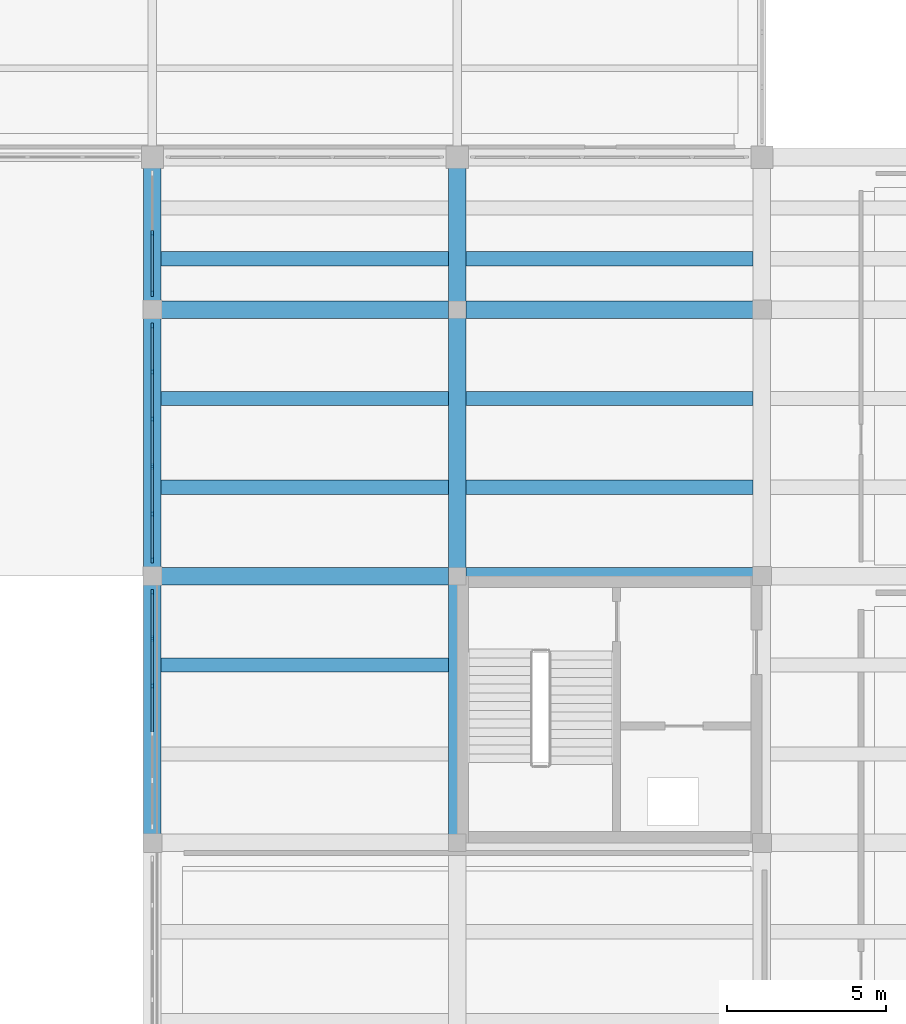
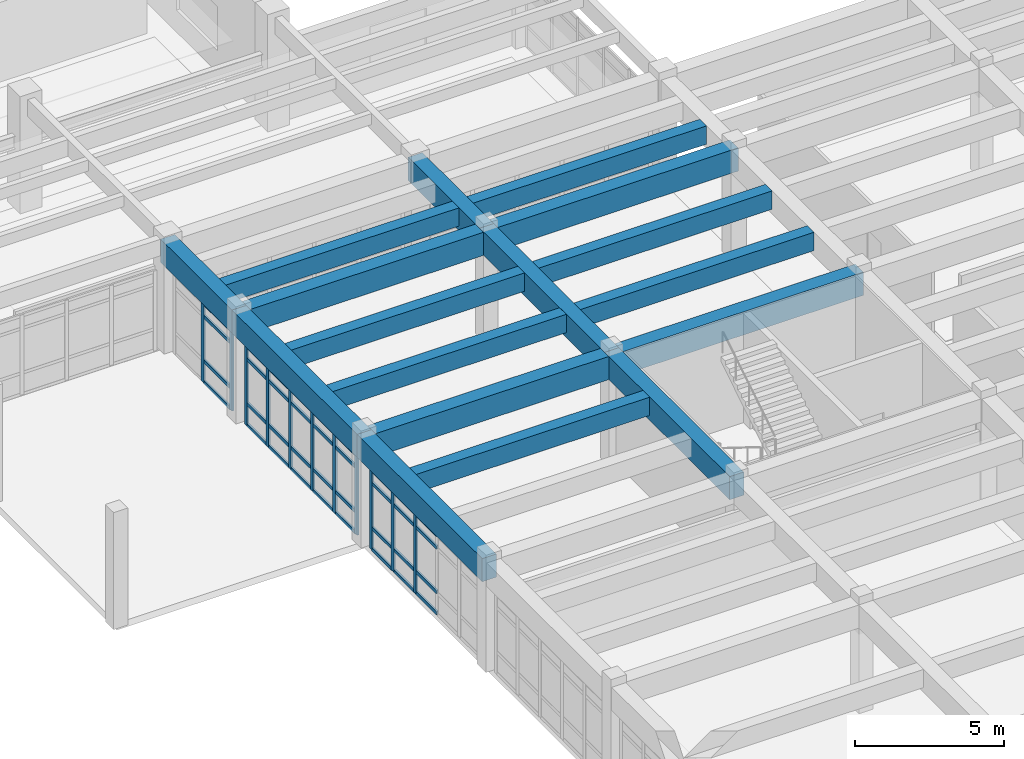
# One storey, part 39 of 86: 47 members, 17 beams, 3 elements without a shape of their own.
"""IFC4 building model written with IfcOpenShell, lengths in metres."""

from ifc_helpers import new_model, si_unit, direction, frame, origin, origin_2d, place, context, subcontext, project, spatial, rectangle, extrude, material, layer, layer_set, material_profile, profile_set, type_object, element, aggregate, save


model = new_model("IFC4")

# Units and contexts
model_context = context("Model", 3, precision=1e-05, world=origin(), true_north=direction((0.0, 1.0)))
body_context = subcontext(model_context, "Body", "Model", "MODEL_VIEW")
ifc_project = project(units=[si_unit("LENGTHUNIT", "METRE"), si_unit("AREAUNIT", "SQUARE_METRE"), si_unit("VOLUMEUNIT", "CUBIC_METRE"), si_unit("PLANEANGLEUNIT", "RADIAN"), si_unit("MASSUNIT", "GRAM", prefix="KILO")], contexts=[model_context])

# Site, building, storey
site_placement = place(None, origin())
site = spatial("IfcSite", under=ifc_project, at=site_placement, CompositionType="ELEMENT")
building_placement = place(site_placement, origin())
building = spatial("IfcBuilding", under=site, at=building_placement, Name="Kolvemor Railside Polytechnic", CompositionType="ELEMENT")
storey_placement = place(building_placement, frame((0.0, 0.0, 5.39990234375)))
storey = spatial("IfcBuildingStorey", under=building, at=storey_placement, Name="L01", CompositionType="ELEMENT", Elevation=5.39990234375)

# Beams
ifc_material_1 = material(Name="Concrete C40/50", Category="concrete")
ifc_material_profile_1 = material_profile(ifc_material_1, rectangle(XDim=0.550048828125, YDim=0.949951171875, at=origin_2d()), Name="RC550x950")
ifc_profile_set_1 = profile_set([ifc_material_profile_1], Name="Concrete C40/50")
beam_type_1 = type_object("IfcBeamType", Name="BM-RC-GIRD", PredefinedType="BEAM", material=ifc_profile_set_1)
beam_1_placement = place(storey_placement, frame((144.0, 68.39990234375, 4.005126953125), z_axis=(1.0, 0.0, 0.0), x_axis=(0.0, 1.0, 0.0)))
element("IfcBeam", 1, at=beam_1_placement, inside=storey, type_object=beam_type_1, Name="Primary Girder L02-GX 0923", PredefinedType="BEAM", context=body_context, shape_type="SweptSolid", body=[
    extrude(rectangle(XDim=0.550048828125, YDim=0.949951171875, at=origin_2d()), origin(), (0.0, 0.0, 1.0), 9.60009765625),
])
beam_2_placement = place(storey_placement, frame((153.60009765625, 68.39990234375, 4.005126953125), z_axis=(1.0, 0.0, 0.0), x_axis=(0.0, 1.0, 0.0)))
element("IfcBeam", 2, at=beam_2_placement, inside=storey, type_object=beam_type_1, Name="Primary Girder L02-GX 0924", PredefinedType="BEAM", context=body_context, shape_type="SweptSolid", body=[
    extrude(rectangle(XDim=0.550048828125, YDim=0.949951171875, at=origin_2d()), origin(), (0.0, 0.0, 1.0), 9.599853515625),
])
beam_3_placement = place(storey_placement, frame((144.0, 76.800048828125, 4.005126953125), z_axis=(1.0, 0.0, 0.0), x_axis=(0.0, 1.0, 0.0)))
element("IfcBeam", 3, at=beam_3_placement, inside=storey, type_object=beam_type_1, Name="Primary Girder L02-GX 0927", PredefinedType="BEAM", context=body_context, shape_type="SweptSolid", body=[
    extrude(rectangle(XDim=0.550048828125, YDim=0.949951171875, at=origin_2d()), origin(), (0.0, 0.0, 1.0), 9.60009765625),
])
beam_4_placement = place(storey_placement, frame((153.60009765625, 76.800048828125, 4.005126953125), z_axis=(1.0, 0.0, 0.0), x_axis=(0.0, 1.0, 0.0)))
element("IfcBeam", 4, at=beam_4_placement, inside=storey, type_object=beam_type_1, Name="Primary Girder L02-GX 0928", PredefinedType="BEAM", context=body_context, shape_type="SweptSolid", body=[
    extrude(rectangle(XDim=0.550048828125, YDim=0.949951171875, at=origin_2d()), origin(), (0.0, 0.0, 1.0), 9.599853515625),
])
beam_5_placement = place(storey_placement, frame((144.0, 60.0, 4.005126953125), z_axis=(0.0, 1.0, 0.0), x_axis=(-1.0, 0.0, 0.0)))
element("IfcBeam", 5, at=beam_5_placement, inside=storey, type_object=beam_type_1, Name="Primary Girder L02-GY 0941", PredefinedType="BEAM", context=body_context, shape_type="SweptSolid", body=[
    extrude(rectangle(XDim=0.550048828125, YDim=0.949951171875, at=origin_2d()), origin(), (0.0, 0.0, 1.0), 8.39990234375),
])
beam_6_placement = place(storey_placement, frame((144.0, 68.39990234375, 4.005126953125), z_axis=(0.0, 1.0, 0.0), x_axis=(-1.0, 0.0, 0.0)))
element("IfcBeam", 6, at=beam_6_placement, inside=storey, type_object=beam_type_1, Name="Primary Girder L02-GY 0942", PredefinedType="BEAM", context=body_context, shape_type="SweptSolid", body=[
    extrude(rectangle(XDim=0.550048828125, YDim=0.949951171875, at=origin_2d()), origin(), (0.0, 0.0, 1.0), 8.400146484375),
])
beam_7_placement = place(storey_placement, frame((144.0, 76.800048828125, 4.005126953125), z_axis=(0.0, 1.0, 0.0), x_axis=(-1.0, 0.0, 0.0)))
element("IfcBeam", 7, at=beam_7_placement, inside=storey, type_object=beam_type_1, Name="Primary Girder L02-GY 0943", PredefinedType="BEAM", context=body_context, shape_type="SweptSolid", body=[
    extrude(rectangle(XDim=0.550048828125, YDim=0.949951171875, at=origin_2d()), origin(), (0.0, 0.0, 1.0), 4.800048828125),
])
beam_8_placement = place(storey_placement, frame((153.60009765625, 60.0, 4.005126953125), z_axis=(0.0, 1.0, 0.0), x_axis=(-1.0, 0.0, 0.0)))
element("IfcBeam", 8, at=beam_8_placement, inside=storey, type_object=beam_type_1, Name="Primary Girder L02-GY 0950", PredefinedType="BEAM", context=body_context, shape_type="SweptSolid", body=[
    extrude(rectangle(XDim=0.550048828125, YDim=0.949951171875, at=origin_2d()), origin(), (0.0, 0.0, 1.0), 8.39990234375),
])
beam_9_placement = place(storey_placement, frame((153.60009765625, 68.39990234375, 4.005126953125), z_axis=(0.0, 1.0, 0.0), x_axis=(-1.0, 0.0, 0.0)))
element("IfcBeam", 9, at=beam_9_placement, inside=storey, type_object=beam_type_1, Name="Primary Girder L02-GY 0951", PredefinedType="BEAM", context=body_context, shape_type="SweptSolid", body=[
    extrude(rectangle(XDim=0.550048828125, YDim=0.949951171875, at=origin_2d()), origin(), (0.0, 0.0, 1.0), 8.400146484375),
])
beam_10_placement = place(storey_placement, frame((153.60009765625, 76.800048828125, 4.005126953125), z_axis=(0.0, 1.0, 0.0), x_axis=(-1.0, 0.0, 0.0)))
element("IfcBeam", 10, at=beam_10_placement, inside=storey, type_object=beam_type_1, Name="Primary Girder L02-GY 0952", PredefinedType="BEAM", context=body_context, shape_type="SweptSolid", body=[
    extrude(rectangle(XDim=0.550048828125, YDim=0.949951171875, at=origin_2d()), origin(), (0.0, 0.0, 1.0), 4.800048828125),
])
ifc_material_2 = material(Name="Concrete C40/50", Category="concrete")
ifc_material_profile_2 = material_profile(ifc_material_2, rectangle(XDim=0.449951171875, YDim=0.75, at=origin_2d()), Name="RC450x750")
ifc_profile_set_2 = profile_set([ifc_material_profile_2], Name="Concrete C40/50")
beam_type_2 = type_object("IfcBeamType", Name="BM-RC-SEC", PredefinedType="JOIST", material=ifc_profile_set_2)
for number, where, z_axis, x_axis, name in (
    (11, (144.27490234375, 65.60009765625, 4.10498046875), (1.0, 0.0, 0.0), (0.0, 1.0, 0.0), "Floor Joist L02-J0993"),
    (12, (144.27490234375, 71.199951171875, 4.10498046875), (1.0, 0.0, 0.0), (0.0, 1.0, 0.0), "Floor Joist L02-J0994"),
    (13, (144.27490234375, 74.0, 4.10498046875), (1.0, 0.0, 0.0), (0.0, 1.0, 0.0), "Floor Joist L02-J0995"),
    (14, (144.27490234375, 78.39990234375, 4.10498046875), (1.0, 0.0, 0.0), (0.0, 1.0, 0.0), "Floor Joist L02-J0996"),
    (15, (153.875, 71.199951171875, 4.10498046875), (1.0, 0.0, 0.0), (0.0, 1.0, 0.0), "Floor Joist L02-J1008"),
    (16, (153.875, 74.0, 4.10498046875), (1.0, 0.0, 0.0), (0.0, 1.0, 0.0), "Floor Joist L02-J1009"),
    (17, (153.875, 78.39990234375, 4.10498046875), (1.0, 0.0, 0.0), (0.0, 1.0, 0.0), "Floor Joist L02-J1010"),
):
    element("IfcBeam", number, at=place(storey_placement, frame(where, z_axis=z_axis, x_axis=x_axis)), inside=storey, type_object=beam_type_2, Name=name, PredefinedType="JOIST", context=body_context, shape_type="SweptSolid", body=[
        extrude(rectangle(XDim=0.449951171875, YDim=0.75, at=origin_2d()), origin(), (0.0, 0.0, 1.0), 9.050048828125),
    ])

# Curtain wall, members
ifc_material_3 = material(Name="Anodised marine aluminium and laminated low-E glass", Category="aluminium")
ifc_layer = layer(ifc_material_3, 0.179931640625, Name="CW-UNIT-STD")
ifc_layer_set = layer_set([ifc_layer], Name="Anodised marine aluminium and laminated low-E glass")
curtain_wall_type = type_object("IfcCurtainWallType", Name="CW-UNIT-STD", PredefinedType="USERDEFINED", material=ifc_layer_set)
curtain_wall_1_placement = place(storey_placement, origin())
curtain_wall_1 = element("IfcCurtainWall", 18, at=curtain_wall_1_placement, inside=storey, type_object=curtain_wall_type, Name="Curtain Wall L01-080", ObjectType="UNITISED CURTAIN WALL", PredefinedType="USERDEFINED")
ifc_material_4 = material(Name="Anodised marine aluminium 6063-T6", Category="aluminium")
ifc_material_profile_3 = material_profile(ifc_material_4, rectangle(XDim=0.074951171875, YDim=0.179931640625, at=origin_2d()), Name="CW-MUL-75x180")
ifc_profile_set_3 = profile_set([ifc_material_profile_3], Name="Anodised marine aluminium 6063-T6")
member_type_1 = type_object("IfcMemberType", Name="CWM-75x180", PredefinedType="MULLION", material=ifc_profile_set_3)
member_1_placement = place(storey_placement, frame((144.0, 67.892578125, 0.0), z_axis=(0.0, 0.0, 1.0), x_axis=(1.0, 0.0, 0.0)))
member_1 = element("IfcMember", 19, at=member_1_placement, type_object=member_type_1, Name="CW-STD mullion 1", PredefinedType="MULLION", context=body_context, shape_type="SweptSolid", body=[
    extrude(rectangle(XDim=0.074951171875, YDim=0.179931640625, at=origin_2d()), origin(), (0.0, 0.0, 1.0), 3.280029296875),
])
member_2_placement = place(storey_placement, frame((144.0, 66.43798828125, 0.0), z_axis=(0.0, 0.0, 1.0), x_axis=(1.0, 0.0, 0.0)))
member_2 = element("IfcMember", 20, at=member_2_placement, type_object=member_type_1, Name="CW-STD mullion 2", PredefinedType="MULLION", context=body_context, shape_type="SweptSolid", body=[
    extrude(rectangle(XDim=0.074951171875, YDim=0.179931640625, at=origin_2d()), origin(), (0.0, 0.0, 1.0), 3.280029296875),
])
member_3_placement = place(storey_placement, frame((144.0, 64.946044921875, 0.0), z_axis=(0.0, 0.0, 1.0), x_axis=(1.0, 0.0, 0.0)))
member_3 = element("IfcMember", 21, at=member_3_placement, type_object=member_type_1, Name="CW-STD mullion 3", PredefinedType="MULLION", context=body_context, shape_type="SweptSolid", body=[
    extrude(rectangle(XDim=0.074951171875, YDim=0.179931640625, at=origin_2d()), origin(), (0.0, 0.0, 1.0), 3.280029296875),
])

curtain_wall_2_placement = place(storey_placement, origin())
curtain_wall_2 = element("IfcCurtainWall", 22, at=curtain_wall_2_placement, inside=storey, type_object=curtain_wall_type, Name="Curtain Wall L01-087", ObjectType="UNITISED CURTAIN WALL", PredefinedType="USERDEFINED")
member_4_placement = place(storey_placement, frame((144.0, 76.29248046875, 0.0), z_axis=(0.0, 0.0, 1.0), x_axis=(1.0, 0.0, 0.0)))
member_4 = element("IfcMember", 23, at=member_4_placement, type_object=member_type_1, Name="CW-STD mullion 1", PredefinedType="MULLION", context=body_context, shape_type="SweptSolid", body=[
    extrude(rectangle(XDim=0.074951171875, YDim=0.179931640625, at=origin_2d()), origin(), (0.0, 0.0, 1.0), 3.280029296875),
])
member_5_placement = place(storey_placement, frame((144.0, 74.837890625, 0.0), z_axis=(0.0, 0.0, 1.0), x_axis=(1.0, 0.0, 0.0)))
member_5 = element("IfcMember", 24, at=member_5_placement, type_object=member_type_1, Name="CW-STD mullion 2", PredefinedType="MULLION", context=body_context, shape_type="SweptSolid", body=[
    extrude(rectangle(XDim=0.074951171875, YDim=0.179931640625, at=origin_2d()), origin(), (0.0, 0.0, 1.0), 3.280029296875),
])
member_6_placement = place(storey_placement, frame((144.0, 73.345947265625, 0.0), z_axis=(0.0, 0.0, 1.0), x_axis=(1.0, 0.0, 0.0)))
member_6 = element("IfcMember", 25, at=member_6_placement, type_object=member_type_1, Name="CW-STD mullion 3", PredefinedType="MULLION", context=body_context, shape_type="SweptSolid", body=[
    extrude(rectangle(XDim=0.074951171875, YDim=0.179931640625, at=origin_2d()), origin(), (0.0, 0.0, 1.0), 3.280029296875),
])
member_7_placement = place(storey_placement, frame((144.0, 71.85400390625, 0.0), z_axis=(0.0, 0.0, 1.0), x_axis=(1.0, 0.0, 0.0)))
member_7 = element("IfcMember", 26, at=member_7_placement, type_object=member_type_1, Name="CW-STD mullion 4", PredefinedType="MULLION", context=body_context, shape_type="SweptSolid", body=[
    extrude(rectangle(XDim=0.074951171875, YDim=0.179931640625, at=origin_2d()), origin(), (0.0, 0.0, 1.0), 3.280029296875),
])
member_8_placement = place(storey_placement, frame((144.0, 70.362060546875, 0.0), z_axis=(0.0, 0.0, 1.0), x_axis=(1.0, 0.0, 0.0)))
member_8 = element("IfcMember", 27, at=member_8_placement, type_object=member_type_1, Name="CW-STD mullion 5", PredefinedType="MULLION", context=body_context, shape_type="SweptSolid", body=[
    extrude(rectangle(XDim=0.074951171875, YDim=0.179931640625, at=origin_2d()), origin(), (0.0, 0.0, 1.0), 3.280029296875),
])
member_9_placement = place(storey_placement, frame((144.0, 68.907470703125, 0.0), z_axis=(0.0, 0.0, 1.0), x_axis=(1.0, 0.0, 0.0)))
member_9 = element("IfcMember", 28, at=member_9_placement, type_object=member_type_1, Name="CW-STD mullion 6", PredefinedType="MULLION", context=body_context, shape_type="SweptSolid", body=[
    extrude(rectangle(XDim=0.074951171875, YDim=0.179931640625, at=origin_2d()), origin(), (0.0, 0.0, 1.0), 3.280029296875),
])

curtain_wall_3_placement = place(storey_placement, origin())
curtain_wall_3 = element("IfcCurtainWall", 29, at=curtain_wall_3_placement, inside=storey, type_object=curtain_wall_type, Name="Curtain Wall L01-093", ObjectType="UNITISED CURTAIN WALL", PredefinedType="USERDEFINED")
member_10_placement = place(storey_placement, frame((144.0, 79.199951171875, 0.0), z_axis=(0.0, 0.0, 1.0), x_axis=(1.0, 0.0, 0.0)))
member_10 = element("IfcMember", 30, at=member_10_placement, type_object=member_type_1, Name="CW-STD mullion 2", PredefinedType="MULLION", context=body_context, shape_type="SweptSolid", body=[
    extrude(rectangle(XDim=0.074951171875, YDim=0.179931640625, at=origin_2d()), origin(), (0.0, 0.0, 1.0), 3.280029296875),
])
member_11_placement = place(storey_placement, frame((144.0, 77.3076171875, 0.0), z_axis=(0.0, 0.0, 1.0), x_axis=(1.0, 0.0, 0.0)))
member_11 = element("IfcMember", 31, at=member_11_placement, type_object=member_type_1, Name="CW-STD mullion 3", PredefinedType="MULLION", context=body_context, shape_type="SweptSolid", body=[
    extrude(rectangle(XDim=0.074951171875, YDim=0.179931640625, at=origin_2d()), origin(), (0.0, 0.0, 1.0), 3.280029296875),
])

# Member
ifc_material_5 = material(Name="Anodised marine aluminium 6063-T6", Category="aluminium")
ifc_material_profile_4 = material_profile(ifc_material_5, rectangle(XDim=0.074951171875, YDim=0.139892578125, at=origin_2d()), Name="CW-TRN-75x140")
ifc_profile_set_4 = profile_set([ifc_material_profile_4], Name="Anodised marine aluminium 6063-T6")
member_type_2 = type_object("IfcMemberType", Name="CWT-75x140", PredefinedType="USERDEFINED", material=ifc_profile_set_4)
member_12_placement = place(storey_placement, frame((144.0, 67.85498046875, 0.03759765625), z_axis=(0.0, -1.0, 0.0), x_axis=(1.0, 0.0, 0.0)))
member_12 = element("IfcMember", 32, at=member_12_placement, type_object=member_type_2, Name="CW-STD transom 1.1", ObjectType="TRANSOM", PredefinedType="USERDEFINED", context=body_context, shape_type="SweptSolid", body=[
    extrude(rectangle(XDim=0.074951171875, YDim=0.139892578125, at=origin_2d()), origin(), (0.0, 0.0, 1.0), 1.37939453125),
])

member_13_placement = place(storey_placement, frame((144.0, 67.85498046875, 0.900146484375), z_axis=(0.0, -1.0, 0.0), x_axis=(1.0, 0.0, 0.0)))
member_13 = element("IfcMember", 33, at=member_13_placement, type_object=member_type_2, Name="CW-STD transom 1.2", ObjectType="TRANSOM", PredefinedType="USERDEFINED", context=body_context, shape_type="SweptSolid", body=[
    extrude(rectangle(XDim=0.074951171875, YDim=0.139892578125, at=origin_2d()), origin(), (0.0, 0.0, 1.0), 1.37939453125),
])

member_14_placement = place(storey_placement, frame((144.0, 67.85498046875, 2.72998046875), z_axis=(0.0, -1.0, 0.0), x_axis=(1.0, 0.0, 0.0)))
member_14 = element("IfcMember", 34, at=member_14_placement, type_object=member_type_2, Name="CW-STD transom 1.3", ObjectType="TRANSOM", PredefinedType="USERDEFINED", context=body_context, shape_type="SweptSolid", body=[
    extrude(rectangle(XDim=0.074951171875, YDim=0.139892578125, at=origin_2d()), origin(), (0.0, 0.0, 1.0), 1.37939453125),
])

member_15_placement = place(storey_placement, frame((144.0, 67.85498046875, 3.24267578125), z_axis=(0.0, -1.0, 0.0), x_axis=(1.0, 0.0, 0.0)))
member_15 = element("IfcMember", 35, at=member_15_placement, type_object=member_type_2, Name="CW-STD transom 1.4", ObjectType="TRANSOM", PredefinedType="USERDEFINED", context=body_context, shape_type="SweptSolid", body=[
    extrude(rectangle(XDim=0.074951171875, YDim=0.139892578125, at=origin_2d()), origin(), (0.0, 0.0, 1.0), 1.37939453125),
])

member_16_placement = place(storey_placement, frame((144.0, 66.400390625, 0.03759765625), z_axis=(0.0, -1.0, 0.0), x_axis=(1.0, 0.0, 0.0)))
member_16 = element("IfcMember", 36, at=member_16_placement, type_object=member_type_2, Name="CW-STD transom 2.1", ObjectType="TRANSOM", PredefinedType="USERDEFINED", context=body_context, shape_type="SweptSolid", body=[
    extrude(rectangle(XDim=0.074951171875, YDim=0.139892578125, at=origin_2d()), origin(), (0.0, 0.0, 1.0), 1.4169921875),
])

member_17_placement = place(storey_placement, frame((144.0, 66.400390625, 0.900146484375), z_axis=(0.0, -1.0, 0.0), x_axis=(1.0, 0.0, 0.0)))
member_17 = element("IfcMember", 37, at=member_17_placement, type_object=member_type_2, Name="CW-STD transom 2.2", ObjectType="TRANSOM", PredefinedType="USERDEFINED", context=body_context, shape_type="SweptSolid", body=[
    extrude(rectangle(XDim=0.074951171875, YDim=0.139892578125, at=origin_2d()), origin(), (0.0, 0.0, 1.0), 1.4169921875),
])

member_18_placement = place(storey_placement, frame((144.0, 66.400390625, 2.72998046875), z_axis=(0.0, -1.0, 0.0), x_axis=(1.0, 0.0, 0.0)))
member_18 = element("IfcMember", 38, at=member_18_placement, type_object=member_type_2, Name="CW-STD transom 2.3", ObjectType="TRANSOM", PredefinedType="USERDEFINED", context=body_context, shape_type="SweptSolid", body=[
    extrude(rectangle(XDim=0.074951171875, YDim=0.139892578125, at=origin_2d()), origin(), (0.0, 0.0, 1.0), 1.4169921875),
])

member_19_placement = place(storey_placement, frame((144.0, 66.400390625, 3.24267578125), z_axis=(0.0, -1.0, 0.0), x_axis=(1.0, 0.0, 0.0)))
member_19 = element("IfcMember", 39, at=member_19_placement, type_object=member_type_2, Name="CW-STD transom 2.4", ObjectType="TRANSOM", PredefinedType="USERDEFINED", context=body_context, shape_type="SweptSolid", body=[
    extrude(rectangle(XDim=0.074951171875, YDim=0.139892578125, at=origin_2d()), origin(), (0.0, 0.0, 1.0), 1.4169921875),
])

member_20_placement = place(storey_placement, frame((144.0, 64.908447265625, 0.03759765625), z_axis=(0.0, -1.0, 0.0), x_axis=(1.0, 0.0, 0.0)))
member_20 = element("IfcMember", 40, at=member_20_placement, type_object=member_type_2, Name="CW-STD transom 3.1", ObjectType="TRANSOM", PredefinedType="USERDEFINED", context=body_context, shape_type="SweptSolid", body=[
    extrude(rectangle(XDim=0.074951171875, YDim=0.139892578125, at=origin_2d()), origin(), (0.0, 0.0, 1.0), 1.4169921875),
])

member_21_placement = place(storey_placement, frame((144.0, 64.908447265625, 0.900146484375), z_axis=(0.0, -1.0, 0.0), x_axis=(1.0, 0.0, 0.0)))
member_21 = element("IfcMember", 41, at=member_21_placement, type_object=member_type_2, Name="CW-STD transom 3.2", ObjectType="TRANSOM", PredefinedType="USERDEFINED", context=body_context, shape_type="SweptSolid", body=[
    extrude(rectangle(XDim=0.074951171875, YDim=0.139892578125, at=origin_2d()), origin(), (0.0, 0.0, 1.0), 1.4169921875),
])

member_22_placement = place(storey_placement, frame((144.0, 64.908447265625, 2.72998046875), z_axis=(0.0, -1.0, 0.0), x_axis=(1.0, 0.0, 0.0)))
member_22 = element("IfcMember", 42, at=member_22_placement, type_object=member_type_2, Name="CW-STD transom 3.3", ObjectType="TRANSOM", PredefinedType="USERDEFINED", context=body_context, shape_type="SweptSolid", body=[
    extrude(rectangle(XDim=0.074951171875, YDim=0.139892578125, at=origin_2d()), origin(), (0.0, 0.0, 1.0), 1.4169921875),
])

member_23_placement = place(storey_placement, frame((144.0, 64.908447265625, 3.24267578125), z_axis=(0.0, -1.0, 0.0), x_axis=(1.0, 0.0, 0.0)))
member_23 = element("IfcMember", 43, at=member_23_placement, type_object=member_type_2, Name="CW-STD transom 3.4", ObjectType="TRANSOM", PredefinedType="USERDEFINED", context=body_context, shape_type="SweptSolid", body=[
    extrude(rectangle(XDim=0.074951171875, YDim=0.139892578125, at=origin_2d()), origin(), (0.0, 0.0, 1.0), 1.4169921875),
])

aggregate(curtain_wall_1, [member_1, member_2, member_3, member_12, member_13, member_14, member_15, member_16, member_17, member_18, member_19, member_20, member_21, member_22, member_23])

member_24_placement = place(storey_placement, frame((144.0, 76.2548828125, 0.03759765625), z_axis=(0.0, -1.0, 0.0), x_axis=(1.0, 0.0, 0.0)))
member_24 = element("IfcMember", 44, at=member_24_placement, type_object=member_type_2, Name="CW-STD transom 1.1", ObjectType="TRANSOM", PredefinedType="USERDEFINED", context=body_context, shape_type="SweptSolid", body=[
    extrude(rectangle(XDim=0.074951171875, YDim=0.139892578125, at=origin_2d()), origin(), (0.0, 0.0, 1.0), 1.37939453125),
])

member_25_placement = place(storey_placement, frame((144.0, 76.2548828125, 0.900146484375), z_axis=(0.0, -1.0, 0.0), x_axis=(1.0, 0.0, 0.0)))
member_25 = element("IfcMember", 45, at=member_25_placement, type_object=member_type_2, Name="CW-STD transom 1.2", ObjectType="TRANSOM", PredefinedType="USERDEFINED", context=body_context, shape_type="SweptSolid", body=[
    extrude(rectangle(XDim=0.074951171875, YDim=0.139892578125, at=origin_2d()), origin(), (0.0, 0.0, 1.0), 1.37939453125),
])

member_26_placement = place(storey_placement, frame((144.0, 76.2548828125, 2.72998046875), z_axis=(0.0, -1.0, 0.0), x_axis=(1.0, 0.0, 0.0)))
member_26 = element("IfcMember", 46, at=member_26_placement, type_object=member_type_2, Name="CW-STD transom 1.3", ObjectType="TRANSOM", PredefinedType="USERDEFINED", context=body_context, shape_type="SweptSolid", body=[
    extrude(rectangle(XDim=0.074951171875, YDim=0.139892578125, at=origin_2d()), origin(), (0.0, 0.0, 1.0), 1.37939453125),
])

member_27_placement = place(storey_placement, frame((144.0, 76.2548828125, 3.24267578125), z_axis=(0.0, -1.0, 0.0), x_axis=(1.0, 0.0, 0.0)))
member_27 = element("IfcMember", 47, at=member_27_placement, type_object=member_type_2, Name="CW-STD transom 1.4", ObjectType="TRANSOM", PredefinedType="USERDEFINED", context=body_context, shape_type="SweptSolid", body=[
    extrude(rectangle(XDim=0.074951171875, YDim=0.139892578125, at=origin_2d()), origin(), (0.0, 0.0, 1.0), 1.37939453125),
])

member_28_placement = place(storey_placement, frame((144.0, 74.800537109375, 0.03759765625), z_axis=(0.0, -1.0, 0.0), x_axis=(1.0, 0.0, 0.0)))
member_28 = element("IfcMember", 48, at=member_28_placement, type_object=member_type_2, Name="CW-STD transom 2.1", ObjectType="TRANSOM", PredefinedType="USERDEFINED", context=body_context, shape_type="SweptSolid", body=[
    extrude(rectangle(XDim=0.074951171875, YDim=0.139892578125, at=origin_2d()), origin(), (0.0, 0.0, 1.0), 1.4169921875),
])

member_29_placement = place(storey_placement, frame((144.0, 74.800537109375, 0.900146484375), z_axis=(0.0, -1.0, 0.0), x_axis=(1.0, 0.0, 0.0)))
member_29 = element("IfcMember", 49, at=member_29_placement, type_object=member_type_2, Name="CW-STD transom 2.2", ObjectType="TRANSOM", PredefinedType="USERDEFINED", context=body_context, shape_type="SweptSolid", body=[
    extrude(rectangle(XDim=0.074951171875, YDim=0.139892578125, at=origin_2d()), origin(), (0.0, 0.0, 1.0), 1.4169921875),
])

member_30_placement = place(storey_placement, frame((144.0, 74.800537109375, 2.72998046875), z_axis=(0.0, -1.0, 0.0), x_axis=(1.0, 0.0, 0.0)))
member_30 = element("IfcMember", 50, at=member_30_placement, type_object=member_type_2, Name="CW-STD transom 2.3", ObjectType="TRANSOM", PredefinedType="USERDEFINED", context=body_context, shape_type="SweptSolid", body=[
    extrude(rectangle(XDim=0.074951171875, YDim=0.139892578125, at=origin_2d()), origin(), (0.0, 0.0, 1.0), 1.4169921875),
])

member_31_placement = place(storey_placement, frame((144.0, 74.800537109375, 3.24267578125), z_axis=(0.0, -1.0, 0.0), x_axis=(1.0, 0.0, 0.0)))
member_31 = element("IfcMember", 51, at=member_31_placement, type_object=member_type_2, Name="CW-STD transom 2.4", ObjectType="TRANSOM", PredefinedType="USERDEFINED", context=body_context, shape_type="SweptSolid", body=[
    extrude(rectangle(XDim=0.074951171875, YDim=0.139892578125, at=origin_2d()), origin(), (0.0, 0.0, 1.0), 1.4169921875),
])

member_32_placement = place(storey_placement, frame((144.0, 73.30859375, 0.03759765625), z_axis=(0.0, -1.0, 0.0), x_axis=(1.0, 0.0, 0.0)))
member_32 = element("IfcMember", 52, at=member_32_placement, type_object=member_type_2, Name="CW-STD transom 3.1", ObjectType="TRANSOM", PredefinedType="USERDEFINED", context=body_context, shape_type="SweptSolid", body=[
    extrude(rectangle(XDim=0.074951171875, YDim=0.139892578125, at=origin_2d()), origin(), (0.0, 0.0, 1.0), 1.4169921875),
])

member_33_placement = place(storey_placement, frame((144.0, 73.30859375, 0.900146484375), z_axis=(0.0, -1.0, 0.0), x_axis=(1.0, 0.0, 0.0)))
member_33 = element("IfcMember", 53, at=member_33_placement, type_object=member_type_2, Name="CW-STD transom 3.2", ObjectType="TRANSOM", PredefinedType="USERDEFINED", context=body_context, shape_type="SweptSolid", body=[
    extrude(rectangle(XDim=0.074951171875, YDim=0.139892578125, at=origin_2d()), origin(), (0.0, 0.0, 1.0), 1.4169921875),
])

member_34_placement = place(storey_placement, frame((144.0, 73.30859375, 2.72998046875), z_axis=(0.0, -1.0, 0.0), x_axis=(1.0, 0.0, 0.0)))
member_34 = element("IfcMember", 54, at=member_34_placement, type_object=member_type_2, Name="CW-STD transom 3.3", ObjectType="TRANSOM", PredefinedType="USERDEFINED", context=body_context, shape_type="SweptSolid", body=[
    extrude(rectangle(XDim=0.074951171875, YDim=0.139892578125, at=origin_2d()), origin(), (0.0, 0.0, 1.0), 1.4169921875),
])

member_35_placement = place(storey_placement, frame((144.0, 73.30859375, 3.24267578125), z_axis=(0.0, -1.0, 0.0), x_axis=(1.0, 0.0, 0.0)))
member_35 = element("IfcMember", 55, at=member_35_placement, type_object=member_type_2, Name="CW-STD transom 3.4", ObjectType="TRANSOM", PredefinedType="USERDEFINED", context=body_context, shape_type="SweptSolid", body=[
    extrude(rectangle(XDim=0.074951171875, YDim=0.139892578125, at=origin_2d()), origin(), (0.0, 0.0, 1.0), 1.4169921875),
])

member_36_placement = place(storey_placement, frame((144.0, 71.81640625, 0.03759765625), z_axis=(0.0, -1.0, 0.0), x_axis=(1.0, 0.0, 0.0)))
member_36 = element("IfcMember", 56, at=member_36_placement, type_object=member_type_2, Name="CW-STD transom 4.1", ObjectType="TRANSOM", PredefinedType="USERDEFINED", context=body_context, shape_type="SweptSolid", body=[
    extrude(rectangle(XDim=0.074951171875, YDim=0.139892578125, at=origin_2d()), origin(), (0.0, 0.0, 1.0), 1.4169921875),
])

member_37_placement = place(storey_placement, frame((144.0, 71.81640625, 0.900146484375), z_axis=(0.0, -1.0, 0.0), x_axis=(1.0, 0.0, 0.0)))
member_37 = element("IfcMember", 57, at=member_37_placement, type_object=member_type_2, Name="CW-STD transom 4.2", ObjectType="TRANSOM", PredefinedType="USERDEFINED", context=body_context, shape_type="SweptSolid", body=[
    extrude(rectangle(XDim=0.074951171875, YDim=0.139892578125, at=origin_2d()), origin(), (0.0, 0.0, 1.0), 1.4169921875),
])

member_38_placement = place(storey_placement, frame((144.0, 71.81640625, 2.72998046875), z_axis=(0.0, -1.0, 0.0), x_axis=(1.0, 0.0, 0.0)))
member_38 = element("IfcMember", 58, at=member_38_placement, type_object=member_type_2, Name="CW-STD transom 4.3", ObjectType="TRANSOM", PredefinedType="USERDEFINED", context=body_context, shape_type="SweptSolid", body=[
    extrude(rectangle(XDim=0.074951171875, YDim=0.139892578125, at=origin_2d()), origin(), (0.0, 0.0, 1.0), 1.4169921875),
])

member_39_placement = place(storey_placement, frame((144.0, 71.81640625, 3.24267578125), z_axis=(0.0, -1.0, 0.0), x_axis=(1.0, 0.0, 0.0)))
member_39 = element("IfcMember", 59, at=member_39_placement, type_object=member_type_2, Name="CW-STD transom 4.4", ObjectType="TRANSOM", PredefinedType="USERDEFINED", context=body_context, shape_type="SweptSolid", body=[
    extrude(rectangle(XDim=0.074951171875, YDim=0.139892578125, at=origin_2d()), origin(), (0.0, 0.0, 1.0), 1.4169921875),
])

member_40_placement = place(storey_placement, frame((144.0, 70.324462890625, 0.03759765625), z_axis=(0.0, -1.0, 0.0), x_axis=(1.0, 0.0, 0.0)))
member_40 = element("IfcMember", 60, at=member_40_placement, type_object=member_type_2, Name="CW-STD transom 5.1", ObjectType="TRANSOM", PredefinedType="USERDEFINED", context=body_context, shape_type="SweptSolid", body=[
    extrude(rectangle(XDim=0.074951171875, YDim=0.139892578125, at=origin_2d()), origin(), (0.0, 0.0, 1.0), 1.37939453125),
])

member_41_placement = place(storey_placement, frame((144.0, 70.324462890625, 0.900146484375), z_axis=(0.0, -1.0, 0.0), x_axis=(1.0, 0.0, 0.0)))
member_41 = element("IfcMember", 61, at=member_41_placement, type_object=member_type_2, Name="CW-STD transom 5.2", ObjectType="TRANSOM", PredefinedType="USERDEFINED", context=body_context, shape_type="SweptSolid", body=[
    extrude(rectangle(XDim=0.074951171875, YDim=0.139892578125, at=origin_2d()), origin(), (0.0, 0.0, 1.0), 1.37939453125),
])

member_42_placement = place(storey_placement, frame((144.0, 70.324462890625, 2.72998046875), z_axis=(0.0, -1.0, 0.0), x_axis=(1.0, 0.0, 0.0)))
member_42 = element("IfcMember", 62, at=member_42_placement, type_object=member_type_2, Name="CW-STD transom 5.3", ObjectType="TRANSOM", PredefinedType="USERDEFINED", context=body_context, shape_type="SweptSolid", body=[
    extrude(rectangle(XDim=0.074951171875, YDim=0.139892578125, at=origin_2d()), origin(), (0.0, 0.0, 1.0), 1.37939453125),
])

member_43_placement = place(storey_placement, frame((144.0, 70.324462890625, 3.24267578125), z_axis=(0.0, -1.0, 0.0), x_axis=(1.0, 0.0, 0.0)))
member_43 = element("IfcMember", 63, at=member_43_placement, type_object=member_type_2, Name="CW-STD transom 5.4", ObjectType="TRANSOM", PredefinedType="USERDEFINED", context=body_context, shape_type="SweptSolid", body=[
    extrude(rectangle(XDim=0.074951171875, YDim=0.139892578125, at=origin_2d()), origin(), (0.0, 0.0, 1.0), 1.37939453125),
])

aggregate(curtain_wall_2, [member_4, member_5, member_6, member_7, member_8, member_9, member_24, member_25, member_26, member_27, member_28, member_29, member_30, member_31, member_32, member_33, member_34, member_35, member_36, member_37, member_38, member_39, member_40, member_41, member_42, member_43])

member_44_placement = place(storey_placement, frame((144.0, 79.16259765625, 0.03759765625), z_axis=(0.0, -1.0, 0.0), x_axis=(1.0, 0.0, 0.0)))
member_44 = element("IfcMember", 64, at=member_44_placement, type_object=member_type_2, Name="CW-STD transom 2.1", ObjectType="TRANSOM", PredefinedType="USERDEFINED", context=body_context, shape_type="SweptSolid", body=[
    extrude(rectangle(XDim=0.074951171875, YDim=0.139892578125, at=origin_2d()), origin(), (0.0, 0.0, 1.0), 1.817626953125),
])

member_45_placement = place(storey_placement, frame((144.0, 79.16259765625, 0.900146484375), z_axis=(0.0, -1.0, 0.0), x_axis=(1.0, 0.0, 0.0)))
member_45 = element("IfcMember", 65, at=member_45_placement, type_object=member_type_2, Name="CW-STD transom 2.2", ObjectType="TRANSOM", PredefinedType="USERDEFINED", context=body_context, shape_type="SweptSolid", body=[
    extrude(rectangle(XDim=0.074951171875, YDim=0.139892578125, at=origin_2d()), origin(), (0.0, 0.0, 1.0), 1.817626953125),
])

member_46_placement = place(storey_placement, frame((144.0, 79.16259765625, 2.72998046875), z_axis=(0.0, -1.0, 0.0), x_axis=(1.0, 0.0, 0.0)))
member_46 = element("IfcMember", 66, at=member_46_placement, type_object=member_type_2, Name="CW-STD transom 2.3", ObjectType="TRANSOM", PredefinedType="USERDEFINED", context=body_context, shape_type="SweptSolid", body=[
    extrude(rectangle(XDim=0.074951171875, YDim=0.139892578125, at=origin_2d()), origin(), (0.0, 0.0, 1.0), 1.817626953125),
])

member_47_placement = place(storey_placement, frame((144.0, 79.16259765625, 3.24267578125), z_axis=(0.0, -1.0, 0.0), x_axis=(1.0, 0.0, 0.0)))
member_47 = element("IfcMember", 67, at=member_47_placement, type_object=member_type_2, Name="CW-STD transom 2.4", ObjectType="TRANSOM", PredefinedType="USERDEFINED", context=body_context, shape_type="SweptSolid", body=[
    extrude(rectangle(XDim=0.074951171875, YDim=0.139892578125, at=origin_2d()), origin(), (0.0, 0.0, 1.0), 1.817626953125),
])

aggregate(curtain_wall_3, [member_10, member_11, member_44, member_45, member_46, member_47])

save(model, "model.ifc")
